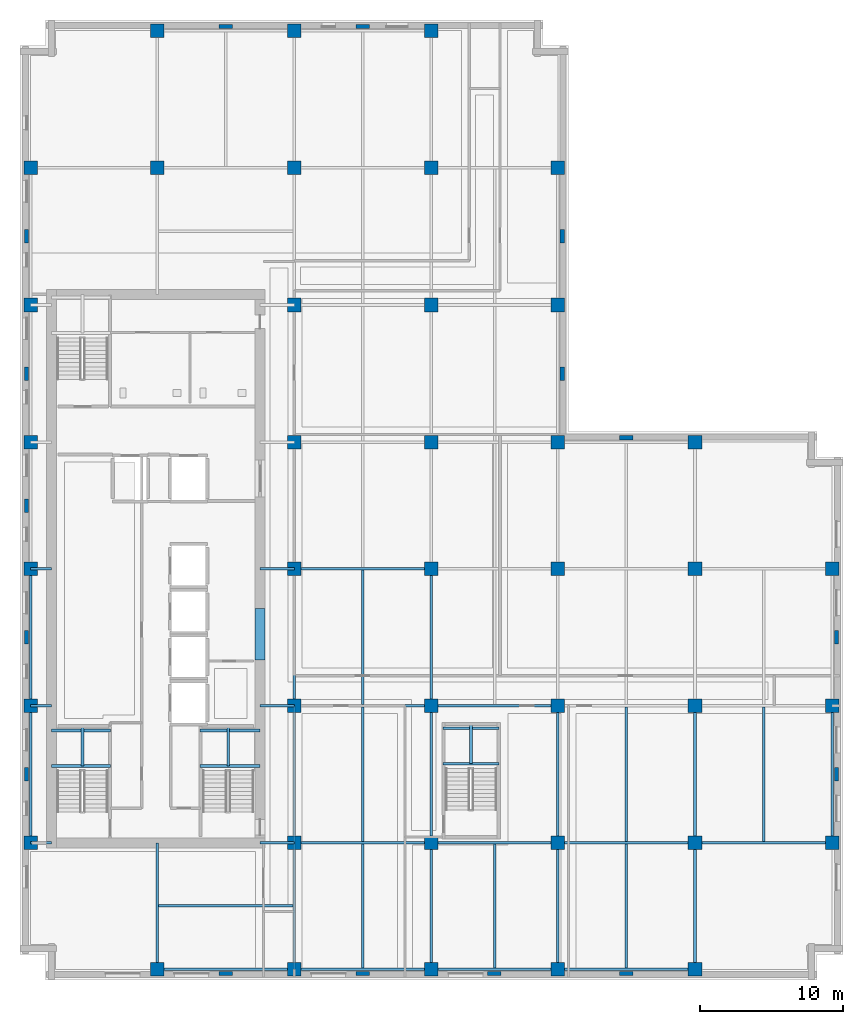
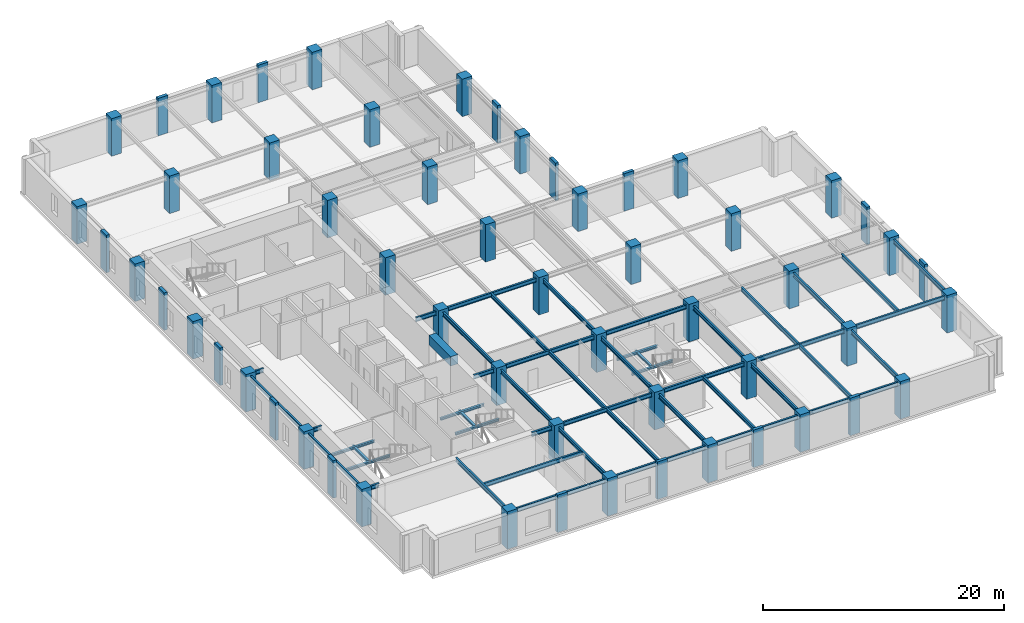
# One storey, part 1 of 13: 56 columns, 49 beams.
"""IFC4 building model written with IfcOpenShell, lengths in metres."""

from ifc_helpers import new_model, si_unit, direction, frame, origin, origin_2d, place, context, subcontext, project, spatial, rectangle, i_section, extrude, material, material_profile, profile_set, type_object, element, save


model = new_model("IFC4")

# Units and contexts
model_context = context("Model", 3, precision=1e-05, world=origin(), true_north=direction((0.0, 1.0)))
body_context = subcontext(model_context, "Body", "Model", "MODEL_VIEW")
ifc_project = project(units=[si_unit("LENGTHUNIT", "METRE"), si_unit("AREAUNIT", "SQUARE_METRE"), si_unit("VOLUMEUNIT", "CUBIC_METRE"), si_unit("PLANEANGLEUNIT", "RADIAN"), si_unit("MASSUNIT", "GRAM", prefix="KILO")], contexts=[model_context])

# Site, building, storey
site_placement = place(None, origin())
site = spatial("IfcSite", under=ifc_project, at=site_placement, CompositionType="ELEMENT")
building_placement = place(site_placement, origin())
building = spatial("IfcBuilding", under=site, at=building_placement, Name="Norrvale University Quadrangle", CompositionType="ELEMENT")
storey_placement = place(building_placement, frame((0.0, 0.0, 159.800048828125)))
storey = spatial("IfcBuildingStorey", under=building, at=storey_placement, Name="L40", CompositionType="ELEMENT", Elevation=159.800048828125)

# Columns
ifc_material_1 = material(Name="Red Manganese Brick Concrete C60/75", Category="concrete")
ifc_material_profile_1 = material_profile(ifc_material_1, rectangle(XDim=0.949951171875, YDim=0.300048828125, at=origin_2d()), Name="Red Manganese Brick Concrete C60/75")
ifc_profile_set_1 = profile_set([ifc_material_profile_1], Name="Red Manganese Brick Concrete C60/75")
column_type_1 = type_object("IfcColumnType", Name="Column Brick Pier 950x300", PredefinedType="PILASTER", material=ifc_profile_set_1)
for number, where, z_axis, x_axis, name in (
    (1, (0.449951171875, 14.39990234375, 0.0), (0.0, 0.0, 1.0), (0.0, 1.0, 0.0), "Exterior Brick Facade Pilaster L40-01"),
    (2, (0.449951171875, 24.0, 0.0), (0.0, 0.0, 1.0), (0.0, 1.0, 0.0), "Exterior Brick Facade Pilaster L40-02"),
    (3, (0.449951171875, 33.199951171875, 0.0), (0.0, 0.0, 1.0), (0.0, 1.0, 0.0), "Exterior Brick Facade Pilaster L40-03"),
    (4, (0.449951171875, 42.449951171875, 0.0), (0.0, 0.0, 1.0), (0.0, 1.0, 0.0), "Exterior Brick Facade Pilaster L40-04"),
    (5, (0.449951171875, 52.050048828125, 0.0), (0.0, 0.0, 1.0), (0.0, 1.0, 0.0), "Exterior Brick Facade Pilaster L40-05"),
    (6, (14.39990234375, 0.449951171875, 0.0), (0.0, 0.0, 1.0), (1.0, 0.0, 0.0), "Exterior Brick Facade Pilaster L40-06"),
    (7, (24.0, 0.449951171875, 0.0), (0.0, 0.0, 1.0), (1.0, 0.0, 0.0), "Exterior Brick Facade Pilaster L40-07"),
    (8, (33.199951171875, 0.449951171875, 0.0), (0.0, 0.0, 1.0), (1.0, 0.0, 0.0), "Exterior Brick Facade Pilaster L40-08"),
    (9, (42.449951171875, 0.449951171875, 0.0), (0.0, 0.0, 1.0), (1.0, 0.0, 0.0), "Exterior Brick Facade Pilaster L40-09"),
    (10, (57.14990234375, 14.39990234375, 0.0), (0.0, 0.0, 1.0), (0.0, 1.0, 0.0), "Exterior Brick Facade Pilaster L40-10"),
    (11, (57.14990234375, 24.0, 0.0), (0.0, 0.0, 1.0), (0.0, 1.0, 0.0), "Exterior Brick Facade Pilaster L40-11"),
    (12, (14.39990234375, 66.75, 0.0), (0.0, 0.0, 1.0), (1.0, 0.0, 0.0), "Exterior Brick Facade Pilaster L40-12"),
    (13, (24.0, 66.75, 0.0), (0.0, 0.0, 1.0), (1.0, 0.0, 0.0), "Exterior Brick Facade Pilaster L40-13"),
    (14, (37.949951171875, 42.449951171875, 0.0), (0.0, 0.0, 1.0), (0.0, 1.0, 0.0), "Exterior Brick Facade Pilaster L40-14"),
    (15, (37.949951171875, 52.050048828125, 0.0), (0.0, 0.0, 1.0), (0.0, 1.0, 0.0), "Exterior Brick Facade Pilaster L40-15"),
    (16, (42.449951171875, 37.949951171875, 0.0), (0.0, 0.0, 1.0), (1.0, 0.0, 0.0), "Exterior Brick Facade Pilaster L40-16"),
):
    element("IfcColumn", number, at=place(storey_placement, frame(where, z_axis=z_axis, x_axis=x_axis)), inside=storey, type_object=column_type_1, Name=name, PredefinedType="PILASTER", context=body_context, shape_type="SweptSolid", body=[
        extrude(rectangle(XDim=0.949951171875, YDim=0.300048828125, at=origin_2d()), origin(), (0.0, 0.0, 1.0), 3.800048828125),
    ])
ifc_material_2 = material(Name="Concrete C60/75", Category="concrete")
ifc_material_profile_2 = material_profile(ifc_material_2, rectangle(XDim=0.949951171875, YDim=0.949951171875, at=origin_2d()), Name="Concrete C60/75")
ifc_profile_set_2 = profile_set([ifc_material_profile_2], Name="Concrete C60/75")
column_type_2 = type_object("IfcColumnType", Name="Column Tower Z2 950x950", PredefinedType="COLUMN", material=ifc_profile_set_2)
for number, where, z_axis, x_axis, name in (
    (17, (0.75, 9.60009765625, 0.0), (0.0, 0.0, 1.0), (1.0, 0.0, 0.0), "Tower Column L40-T01"),
    (18, (0.75, 19.199951171875, 0.0), (0.0, 0.0, 1.0), (1.0, 0.0, 0.0), "Tower Column L40-T02"),
    (19, (0.75, 28.800048828125, 0.0), (0.0, 0.0, 1.0), (1.0, 0.0, 0.0), "Tower Column L40-T03"),
    (20, (0.75, 37.64990234375, 0.0), (0.0, 0.0, 1.0), (1.0, 0.0, 0.0), "Tower Column L40-T04"),
    (21, (0.75, 47.25, 0.0), (0.0, 0.0, 1.0), (1.0, 0.0, 0.0), "Tower Column L40-T05"),
    (22, (0.75, 56.85009765625, 0.0), (0.0, 0.0, 1.0), (1.0, 0.0, 0.0), "Tower Column L40-T06"),
    (23, (9.60009765625, 0.75, 0.0), (0.0, 0.0, 1.0), (1.0, 0.0, 0.0), "Tower Column L40-T07"),
    (24, (9.60009765625, 56.85009765625, 0.0), (0.0, 0.0, 1.0), (1.0, 0.0, 0.0), "Tower Column L40-T08"),
    (25, (9.60009765625, 66.449951171875, 0.0), (0.0, 0.0, 1.0), (1.0, 0.0, 0.0), "Tower Column L40-T09"),
    (26, (19.199951171875, 0.75, 0.0), (0.0, 0.0, 1.0), (1.0, 0.0, 0.0), "Tower Column L40-T10"),
    (27, (19.199951171875, 9.60009765625, 0.0), (0.0, 0.0, 1.0), (1.0, 0.0, 0.0), "Tower Column L40-T11"),
    (28, (19.199951171875, 19.199951171875, 0.0), (0.0, 0.0, 1.0), (1.0, 0.0, 0.0), "Tower Column L40-T12"),
    (29, (19.199951171875, 28.800048828125, 0.0), (0.0, 0.0, 1.0), (1.0, 0.0, 0.0), "Tower Column L40-T13"),
    (30, (19.199951171875, 37.64990234375, 0.0), (0.0, 0.0, 1.0), (1.0, 0.0, 0.0), "Tower Column L40-T14"),
    (31, (19.199951171875, 47.25, 0.0), (0.0, 0.0, 1.0), (1.0, 0.0, 0.0), "Tower Column L40-T15"),
    (32, (19.199951171875, 56.85009765625, 0.0), (0.0, 0.0, 1.0), (1.0, 0.0, 0.0), "Tower Column L40-T16"),
    (33, (19.199951171875, 66.449951171875, 0.0), (0.0, 0.0, 1.0), (1.0, 0.0, 0.0), "Tower Column L40-T17"),
    (34, (28.800048828125, 0.75, 0.0), (0.0, 0.0, 1.0), (1.0, 0.0, 0.0), "Tower Column L40-T18"),
    (35, (28.800048828125, 9.60009765625, 0.0), (0.0, 0.0, 1.0), (1.0, 0.0, 0.0), "Tower Column L40-T19"),
    (36, (28.800048828125, 19.199951171875, 0.0), (0.0, 0.0, 1.0), (1.0, 0.0, 0.0), "Tower Column L40-T20"),
    (37, (28.800048828125, 28.800048828125, 0.0), (0.0, 0.0, 1.0), (1.0, 0.0, 0.0), "Tower Column L40-T21"),
    (38, (28.800048828125, 37.64990234375, 0.0), (0.0, 0.0, 1.0), (1.0, 0.0, 0.0), "Tower Column L40-T22"),
    (39, (28.800048828125, 47.25, 0.0), (0.0, 0.0, 1.0), (1.0, 0.0, 0.0), "Tower Column L40-T23"),
    (40, (28.800048828125, 56.85009765625, 0.0), (0.0, 0.0, 1.0), (1.0, 0.0, 0.0), "Tower Column L40-T24"),
    (41, (28.800048828125, 66.449951171875, 0.0), (0.0, 0.0, 1.0), (1.0, 0.0, 0.0), "Tower Column L40-T25"),
    (42, (37.64990234375, 0.75, 0.0), (0.0, 0.0, 1.0), (1.0, 0.0, 0.0), "Tower Column L40-T26"),
    (43, (37.64990234375, 9.60009765625, 0.0), (0.0, 0.0, 1.0), (1.0, 0.0, 0.0), "Tower Column L40-T27"),
    (44, (37.64990234375, 19.199951171875, 0.0), (0.0, 0.0, 1.0), (1.0, 0.0, 0.0), "Tower Column L40-T28"),
    (45, (37.64990234375, 28.800048828125, 0.0), (0.0, 0.0, 1.0), (1.0, 0.0, 0.0), "Tower Column L40-T29"),
    (46, (37.64990234375, 37.64990234375, 0.0), (0.0, 0.0, 1.0), (1.0, 0.0, 0.0), "Tower Column L40-T30"),
    (47, (37.64990234375, 47.25, 0.0), (0.0, 0.0, 1.0), (1.0, 0.0, 0.0), "Tower Column L40-T31"),
    (48, (37.64990234375, 56.85009765625, 0.0), (0.0, 0.0, 1.0), (1.0, 0.0, 0.0), "Tower Column L40-T32"),
    (49, (47.25, 0.75, 0.0), (0.0, 0.0, 1.0), (1.0, 0.0, 0.0), "Tower Column L40-T33"),
    (50, (47.25, 9.60009765625, 0.0), (0.0, 0.0, 1.0), (1.0, 0.0, 0.0), "Tower Column L40-T34"),
    (51, (47.25, 19.199951171875, 0.0), (0.0, 0.0, 1.0), (1.0, 0.0, 0.0), "Tower Column L40-T35"),
    (52, (47.25, 28.800048828125, 0.0), (0.0, 0.0, 1.0), (1.0, 0.0, 0.0), "Tower Column L40-T36"),
    (53, (47.25, 37.64990234375, 0.0), (0.0, 0.0, 1.0), (1.0, 0.0, 0.0), "Tower Column L40-T37"),
    (54, (56.85009765625, 9.60009765625, 0.0), (0.0, 0.0, 1.0), (1.0, 0.0, 0.0), "Tower Column L40-T38"),
    (55, (56.85009765625, 19.199951171875, 0.0), (0.0, 0.0, 1.0), (1.0, 0.0, 0.0), "Tower Column L40-T39"),
    (56, (56.85009765625, 28.800048828125, 0.0), (0.0, 0.0, 1.0), (1.0, 0.0, 0.0), "Tower Column L40-T40"),
):
    element("IfcColumn", number, at=place(storey_placement, frame(where, z_axis=z_axis, x_axis=x_axis)), inside=storey, type_object=column_type_2, Name=name, PredefinedType="COLUMN", context=body_context, shape_type="SweptSolid", body=[
        extrude(rectangle(XDim=0.949951171875, YDim=0.949951171875, at=origin_2d()), origin(), (0.0, 0.0, 1.0), 3.800048828125),
    ])

# Beams
ifc_material_3 = material(Name="Steel 350W", Category="steel")
ifc_material_profile_3 = material_profile(ifc_material_3, i_section(OverallWidth=0.180908203125, OverallDepth=0.4169921875, WebThickness=0.010986328125, FlangeThickness=0.018310546875, FilletRadius=0.011962890625, at=origin_2d()), Name="Steel 350W")
ifc_profile_set_3 = profile_set([ifc_material_profile_3], Name="Steel 350W")
beam_type_1 = type_object("IfcBeamType", Name="Beam Atrium W410x85", PredefinedType="BEAM", material=ifc_profile_set_3)
beam_1_placement = place(storey_placement, frame((9.60009765625, 0.75, 3.33154296875), z_axis=(1.0, 0.0, 0.0), x_axis=(0.0, 1.0, 0.0)))
element("IfcBeam", 57, at=beam_1_placement, inside=storey, type_object=beam_type_1, Name="Beam Atrium W410x85 BM-L40-GX001", PredefinedType="BEAM", context=body_context, shape_type="SweptSolid", body=[
    extrude(i_section(OverallWidth=0.180908203125, OverallDepth=0.4169921875, WebThickness=0.010986328125, FlangeThickness=0.018310546875, FilletRadius=0.011962890625, at=origin_2d()), origin(), (0.0, 0.0, 1.0), 9.599853515625),
])
beam_2_placement = place(storey_placement, frame((19.199951171875, 0.75, 3.33154296875), z_axis=(1.0, 0.0, 0.0), x_axis=(0.0, 1.0, 0.0)))
element("IfcBeam", 58, at=beam_2_placement, inside=storey, type_object=beam_type_1, Name="Beam Atrium W410x85 BM-L40-GX002", PredefinedType="BEAM", context=body_context, shape_type="SweptSolid", body=[
    extrude(i_section(OverallWidth=0.180908203125, OverallDepth=0.4169921875, WebThickness=0.010986328125, FlangeThickness=0.018310546875, FilletRadius=0.011962890625, at=origin_2d()), origin(), (0.0, 0.0, 1.0), 9.60009765625),
])
beam_3_placement = place(storey_placement, frame((28.800048828125, 0.75, 3.33154296875), z_axis=(1.0, 0.0, 0.0), x_axis=(0.0, 1.0, 0.0)))
element("IfcBeam", 59, at=beam_3_placement, inside=storey, type_object=beam_type_1, Name="Beam Atrium W410x85 BM-L40-GX003", PredefinedType="BEAM", context=body_context, shape_type="SweptSolid", body=[
    extrude(i_section(OverallWidth=0.180908203125, OverallDepth=0.4169921875, WebThickness=0.010986328125, FlangeThickness=0.018310546875, FilletRadius=0.011962890625, at=origin_2d()), origin(), (0.0, 0.0, 1.0), 8.849853515625),
])
for number, where, z_axis, x_axis, name in (
    (60, (37.64990234375, 0.75, 3.33154296875), (1.0, 0.0, 0.0), (0.0, 1.0, 0.0), "Beam Atrium W410x85 BM-L40-GX004"),
    (61, (19.199951171875, 9.60009765625, 3.33154296875), (1.0, 0.0, 0.0), (0.0, 1.0, 0.0), "Beam Atrium W410x85 BM-L40-GX005"),
):
    element("IfcBeam", number, at=place(storey_placement, frame(where, z_axis=z_axis, x_axis=x_axis)), inside=storey, type_object=beam_type_1, Name=name, PredefinedType="BEAM", context=body_context, shape_type="SweptSolid", body=[
        extrude(i_section(OverallWidth=0.180908203125, OverallDepth=0.4169921875, WebThickness=0.010986328125, FlangeThickness=0.018310546875, FilletRadius=0.011962890625, at=origin_2d()), origin(), (0.0, 0.0, 1.0), 9.60009765625),
    ])
beam_4_placement = place(storey_placement, frame((28.800048828125, 9.60009765625, 3.33154296875), z_axis=(1.0, 0.0, 0.0), x_axis=(0.0, 1.0, 0.0)))
element("IfcBeam", 62, at=beam_4_placement, inside=storey, type_object=beam_type_1, Name="Beam Atrium W410x85 BM-L40-GX006", PredefinedType="BEAM", context=body_context, shape_type="SweptSolid", body=[
    extrude(i_section(OverallWidth=0.180908203125, OverallDepth=0.4169921875, WebThickness=0.010986328125, FlangeThickness=0.018310546875, FilletRadius=0.011962890625, at=origin_2d()), origin(), (0.0, 0.0, 1.0), 8.849853515625),
])
for number, where, z_axis, x_axis, name in (
    (63, (37.64990234375, 9.60009765625, 3.33154296875), (1.0, 0.0, 0.0), (0.0, 1.0, 0.0), "Beam Atrium W410x85 BM-L40-GX007"),
    (64, (47.25, 9.60009765625, 3.33154296875), (1.0, 0.0, 0.0), (0.0, 1.0, 0.0), "Beam Atrium W410x85 BM-L40-GX008"),
    (65, (19.199951171875, 19.199951171875, 3.33154296875), (1.0, 0.0, 0.0), (0.0, 1.0, 0.0), "Beam Atrium W410x85 BM-L40-GX009"),
):
    element("IfcBeam", number, at=place(storey_placement, frame(where, z_axis=z_axis, x_axis=x_axis)), inside=storey, type_object=beam_type_1, Name=name, PredefinedType="BEAM", context=body_context, shape_type="SweptSolid", body=[
        extrude(i_section(OverallWidth=0.180908203125, OverallDepth=0.4169921875, WebThickness=0.010986328125, FlangeThickness=0.018310546875, FilletRadius=0.011962890625, at=origin_2d()), origin(), (0.0, 0.0, 1.0), 9.60009765625),
    ])
beam_5_placement = place(storey_placement, frame((28.800048828125, 19.199951171875, 3.33154296875), z_axis=(1.0, 0.0, 0.0), x_axis=(0.0, 1.0, 0.0)))
element("IfcBeam", 66, at=beam_5_placement, inside=storey, type_object=beam_type_1, Name="Beam Atrium W410x85 BM-L40-GX010", PredefinedType="BEAM", context=body_context, shape_type="SweptSolid", body=[
    extrude(i_section(OverallWidth=0.180908203125, OverallDepth=0.4169921875, WebThickness=0.010986328125, FlangeThickness=0.018310546875, FilletRadius=0.011962890625, at=origin_2d()), origin(), (0.0, 0.0, 1.0), 8.849853515625),
])
beam_6_placement = place(storey_placement, frame((19.199951171875, 28.800048828125, 3.33154296875), z_axis=(1.0, 0.0, 0.0), x_axis=(0.0, 1.0, 0.0)))
element("IfcBeam", 67, at=beam_6_placement, inside=storey, type_object=beam_type_1, Name="Beam Atrium W410x85 BM-L40-GX013", PredefinedType="BEAM", context=body_context, shape_type="SweptSolid", body=[
    extrude(i_section(OverallWidth=0.180908203125, OverallDepth=0.4169921875, WebThickness=0.010986328125, FlangeThickness=0.018310546875, FilletRadius=0.011962890625, at=origin_2d()), origin(), (0.0, 0.0, 1.0), 9.60009765625),
])
beam_7_placement = place(storey_placement, frame((0.75, 9.60009765625, 3.33154296875), z_axis=(0.0, 1.0, 0.0), x_axis=(-1.0, 0.0, 0.0)))
element("IfcBeam", 68, at=beam_7_placement, inside=storey, type_object=beam_type_1, Name="Beam Atrium W410x85 BM-L40-GY028", PredefinedType="BEAM", context=body_context, shape_type="SweptSolid", body=[
    extrude(i_section(OverallWidth=0.180908203125, OverallDepth=0.4169921875, WebThickness=0.010986328125, FlangeThickness=0.018310546875, FilletRadius=0.011962890625, at=origin_2d()), origin(), (0.0, 0.0, 1.0), 9.599853515625),
])
beam_8_placement = place(storey_placement, frame((0.75, 19.199951171875, 3.33154296875), z_axis=(0.0, 1.0, 0.0), x_axis=(-1.0, 0.0, 0.0)))
element("IfcBeam", 69, at=beam_8_placement, inside=storey, type_object=beam_type_1, Name="Beam Atrium W410x85 BM-L40-GY029", PredefinedType="BEAM", context=body_context, shape_type="SweptSolid", body=[
    extrude(i_section(OverallWidth=0.180908203125, OverallDepth=0.4169921875, WebThickness=0.010986328125, FlangeThickness=0.018310546875, FilletRadius=0.011962890625, at=origin_2d()), origin(), (0.0, 0.0, 1.0), 9.60009765625),
])
beam_9_placement = place(storey_placement, frame((19.199951171875, 0.75, 3.33154296875), z_axis=(0.0, 1.0, 0.0), x_axis=(-1.0, 0.0, 0.0)))
element("IfcBeam", 70, at=beam_9_placement, inside=storey, type_object=beam_type_1, Name="Beam Atrium W410x85 BM-L40-GY034", PredefinedType="BEAM", context=body_context, shape_type="SweptSolid", body=[
    extrude(i_section(OverallWidth=0.180908203125, OverallDepth=0.4169921875, WebThickness=0.010986328125, FlangeThickness=0.018310546875, FilletRadius=0.011962890625, at=origin_2d()), origin(), (0.0, 0.0, 1.0), 8.85009765625),
])
beam_10_placement = place(storey_placement, frame((19.199951171875, 9.60009765625, 3.33154296875), z_axis=(0.0, 1.0, 0.0), x_axis=(-1.0, 0.0, 0.0)))
element("IfcBeam", 71, at=beam_10_placement, inside=storey, type_object=beam_type_1, Name="Beam Atrium W410x85 BM-L40-GY035", PredefinedType="BEAM", context=body_context, shape_type="SweptSolid", body=[
    extrude(i_section(OverallWidth=0.180908203125, OverallDepth=0.4169921875, WebThickness=0.010986328125, FlangeThickness=0.018310546875, FilletRadius=0.011962890625, at=origin_2d()), origin(), (0.0, 0.0, 1.0), 9.599853515625),
])
beam_11_placement = place(storey_placement, frame((19.199951171875, 19.199951171875, 3.33154296875), z_axis=(0.0, 1.0, 0.0), x_axis=(-1.0, 0.0, 0.0)))
element("IfcBeam", 72, at=beam_11_placement, inside=storey, type_object=beam_type_1, Name="Beam Atrium W410x85 BM-L40-GY036", PredefinedType="BEAM", context=body_context, shape_type="SweptSolid", body=[
    extrude(i_section(OverallWidth=0.180908203125, OverallDepth=0.4169921875, WebThickness=0.010986328125, FlangeThickness=0.018310546875, FilletRadius=0.011962890625, at=origin_2d()), origin(), (0.0, 0.0, 1.0), 9.60009765625),
])
beam_12_placement = place(storey_placement, frame((28.800048828125, 0.75, 3.33154296875), z_axis=(0.0, 1.0, 0.0), x_axis=(-1.0, 0.0, 0.0)))
element("IfcBeam", 73, at=beam_12_placement, inside=storey, type_object=beam_type_1, Name="Beam Atrium W410x85 BM-L40-GY041", PredefinedType="BEAM", context=body_context, shape_type="SweptSolid", body=[
    extrude(i_section(OverallWidth=0.180908203125, OverallDepth=0.4169921875, WebThickness=0.010986328125, FlangeThickness=0.018310546875, FilletRadius=0.011962890625, at=origin_2d()), origin(), (0.0, 0.0, 1.0), 8.85009765625),
])
beam_13_placement = place(storey_placement, frame((28.800048828125, 9.60009765625, 3.33154296875), z_axis=(0.0, 1.0, 0.0), x_axis=(-1.0, 0.0, 0.0)))
element("IfcBeam", 74, at=beam_13_placement, inside=storey, type_object=beam_type_1, Name="Beam Atrium W410x85 BM-L40-GY042", PredefinedType="BEAM", context=body_context, shape_type="SweptSolid", body=[
    extrude(i_section(OverallWidth=0.180908203125, OverallDepth=0.4169921875, WebThickness=0.010986328125, FlangeThickness=0.018310546875, FilletRadius=0.011962890625, at=origin_2d()), origin(), (0.0, 0.0, 1.0), 9.599853515625),
])
beam_14_placement = place(storey_placement, frame((28.800048828125, 19.199951171875, 3.33154296875), z_axis=(0.0, 1.0, 0.0), x_axis=(-1.0, 0.0, 0.0)))
element("IfcBeam", 75, at=beam_14_placement, inside=storey, type_object=beam_type_1, Name="Beam Atrium W410x85 BM-L40-GY043", PredefinedType="BEAM", context=body_context, shape_type="SweptSolid", body=[
    extrude(i_section(OverallWidth=0.180908203125, OverallDepth=0.4169921875, WebThickness=0.010986328125, FlangeThickness=0.018310546875, FilletRadius=0.011962890625, at=origin_2d()), origin(), (0.0, 0.0, 1.0), 9.60009765625),
])
beam_15_placement = place(storey_placement, frame((37.64990234375, 0.75, 3.33154296875), z_axis=(0.0, 1.0, 0.0), x_axis=(-1.0, 0.0, 0.0)))
element("IfcBeam", 76, at=beam_15_placement, inside=storey, type_object=beam_type_1, Name="Beam Atrium W410x85 BM-L40-GY048", PredefinedType="BEAM", context=body_context, shape_type="SweptSolid", body=[
    extrude(i_section(OverallWidth=0.180908203125, OverallDepth=0.4169921875, WebThickness=0.010986328125, FlangeThickness=0.018310546875, FilletRadius=0.011962890625, at=origin_2d()), origin(), (0.0, 0.0, 1.0), 8.85009765625),
])
beam_16_placement = place(storey_placement, frame((37.64990234375, 9.60009765625, 3.33154296875), z_axis=(0.0, 1.0, 0.0), x_axis=(-1.0, 0.0, 0.0)))
element("IfcBeam", 77, at=beam_16_placement, inside=storey, type_object=beam_type_1, Name="Beam Atrium W410x85 BM-L40-GY049", PredefinedType="BEAM", context=body_context, shape_type="SweptSolid", body=[
    extrude(i_section(OverallWidth=0.180908203125, OverallDepth=0.4169921875, WebThickness=0.010986328125, FlangeThickness=0.018310546875, FilletRadius=0.011962890625, at=origin_2d()), origin(), (0.0, 0.0, 1.0), 9.599853515625),
])
beam_17_placement = place(storey_placement, frame((47.25, 0.75, 3.33154296875), z_axis=(0.0, 1.0, 0.0), x_axis=(-1.0, 0.0, 0.0)))
element("IfcBeam", 78, at=beam_17_placement, inside=storey, type_object=beam_type_1, Name="Beam Atrium W410x85 BM-L40-GY054", PredefinedType="BEAM", context=body_context, shape_type="SweptSolid", body=[
    extrude(i_section(OverallWidth=0.180908203125, OverallDepth=0.4169921875, WebThickness=0.010986328125, FlangeThickness=0.018310546875, FilletRadius=0.011962890625, at=origin_2d()), origin(), (0.0, 0.0, 1.0), 8.85009765625),
])
for number, where, z_axis, x_axis, name in (
    (79, (47.25, 9.60009765625, 3.33154296875), (0.0, 1.0, 0.0), (-1.0, 0.0, 0.0), "Beam Atrium W410x85 BM-L40-GY055"),
    (80, (56.85009765625, 9.60009765625, 3.33154296875), (0.0, 1.0, 0.0), (-1.0, 0.0, 0.0), "Beam Atrium W410x85 BM-L40-GY058"),
):
    element("IfcBeam", number, at=place(storey_placement, frame(where, z_axis=z_axis, x_axis=x_axis)), inside=storey, type_object=beam_type_1, Name=name, PredefinedType="BEAM", context=body_context, shape_type="SweptSolid", body=[
        extrude(i_section(OverallWidth=0.180908203125, OverallDepth=0.4169921875, WebThickness=0.010986328125, FlangeThickness=0.018310546875, FilletRadius=0.011962890625, at=origin_2d()), origin(), (0.0, 0.0, 1.0), 9.599853515625),
    ])
beam_18_placement = place(storey_placement, frame((0.75, 9.60009765625, 3.33154296875), z_axis=(1.0, 0.0, 0.0), x_axis=(0.0, 1.0, 0.0)))
element("IfcBeam", 81, at=beam_18_placement, inside=storey, type_object=beam_type_1, Name="Beam Atrium W410x85 BM-L40-GCW060", PredefinedType="BEAM", context=body_context, shape_type="SweptSolid", body=[
    extrude(i_section(OverallWidth=0.180908203125, OverallDepth=0.4169921875, WebThickness=0.010986328125, FlangeThickness=0.018310546875, FilletRadius=0.011962890625, at=origin_2d()), origin(), (0.0, 0.0, 1.0), 1.449951171875),
])
beam_19_placement = place(storey_placement, frame((16.800048828125, 9.60009765625, 3.33154296875), z_axis=(1.0, 0.0, 0.0), x_axis=(0.0, 1.0, 0.0)))
element("IfcBeam", 82, at=beam_19_placement, inside=storey, type_object=beam_type_1, Name="Beam Atrium W410x85 BM-L40-GCE061", PredefinedType="BEAM", context=body_context, shape_type="SweptSolid", body=[
    extrude(i_section(OverallWidth=0.180908203125, OverallDepth=0.4169921875, WebThickness=0.010986328125, FlangeThickness=0.018310546875, FilletRadius=0.011962890625, at=origin_2d()), origin(), (0.0, 0.0, 1.0), 2.39990234375),
])
beam_20_placement = place(storey_placement, frame((0.75, 19.199951171875, 3.33154296875), z_axis=(1.0, 0.0, 0.0), x_axis=(0.0, 1.0, 0.0)))
element("IfcBeam", 83, at=beam_20_placement, inside=storey, type_object=beam_type_1, Name="Beam Atrium W410x85 BM-L40-GCW062", PredefinedType="BEAM", context=body_context, shape_type="SweptSolid", body=[
    extrude(i_section(OverallWidth=0.180908203125, OverallDepth=0.4169921875, WebThickness=0.010986328125, FlangeThickness=0.018310546875, FilletRadius=0.011962890625, at=origin_2d()), origin(), (0.0, 0.0, 1.0), 1.449951171875),
])
beam_21_placement = place(storey_placement, frame((16.800048828125, 19.199951171875, 3.33154296875), z_axis=(1.0, 0.0, 0.0), x_axis=(0.0, 1.0, 0.0)))
element("IfcBeam", 84, at=beam_21_placement, inside=storey, type_object=beam_type_1, Name="Beam Atrium W410x85 BM-L40-GCE063", PredefinedType="BEAM", context=body_context, shape_type="SweptSolid", body=[
    extrude(i_section(OverallWidth=0.180908203125, OverallDepth=0.4169921875, WebThickness=0.010986328125, FlangeThickness=0.018310546875, FilletRadius=0.011962890625, at=origin_2d()), origin(), (0.0, 0.0, 1.0), 2.39990234375),
])
beam_22_placement = place(storey_placement, frame((0.75, 28.800048828125, 3.33154296875), z_axis=(1.0, 0.0, 0.0), x_axis=(0.0, 1.0, 0.0)))
element("IfcBeam", 85, at=beam_22_placement, inside=storey, type_object=beam_type_1, Name="Beam Atrium W410x85 BM-L40-GCW064", PredefinedType="BEAM", context=body_context, shape_type="SweptSolid", body=[
    extrude(i_section(OverallWidth=0.180908203125, OverallDepth=0.4169921875, WebThickness=0.010986328125, FlangeThickness=0.018310546875, FilletRadius=0.011962890625, at=origin_2d()), origin(), (0.0, 0.0, 1.0), 1.449951171875),
])
beam_23_placement = place(storey_placement, frame((16.800048828125, 28.800048828125, 3.33154296875), z_axis=(1.0, 0.0, 0.0), x_axis=(0.0, 1.0, 0.0)))
element("IfcBeam", 86, at=beam_23_placement, inside=storey, type_object=beam_type_1, Name="Beam Atrium W410x85 BM-L40-GCE065", PredefinedType="BEAM", context=body_context, shape_type="SweptSolid", body=[
    extrude(i_section(OverallWidth=0.180908203125, OverallDepth=0.4169921875, WebThickness=0.010986328125, FlangeThickness=0.018310546875, FilletRadius=0.011962890625, at=origin_2d()), origin(), (0.0, 0.0, 1.0), 2.39990234375),
])
beam_24_placement = place(storey_placement, frame((9.60009765625, 0.75, 3.33154296875), z_axis=(0.0, 1.0, 0.0), x_axis=(-1.0, 0.0, 0.0)))
element("IfcBeam", 87, at=beam_24_placement, inside=storey, type_object=beam_type_1, Name="Beam Atrium W410x85 BM-L40-GCS089", PredefinedType="BEAM", context=body_context, shape_type="SweptSolid", body=[
    extrude(i_section(OverallWidth=0.180908203125, OverallDepth=0.4169921875, WebThickness=0.010986328125, FlangeThickness=0.018310546875, FilletRadius=0.011962890625, at=origin_2d()), origin(), (0.0, 0.0, 1.0), 8.85009765625),
])
ifc_material_4 = material(Name="Concrete C80/95", Category="concrete")
ifc_material_profile_4 = material_profile(ifc_material_4, rectangle(XDim=0.699951171875, YDim=0.949951171875, at=origin_2d()), Name="Concrete C80/95")
ifc_profile_set_4 = profile_set([ifc_material_profile_4], Name="Concrete C80/95")
beam_type_2 = type_object("IfcBeamType", Name="Beam Core Link 700x950", PredefinedType="LINTEL", material=ifc_profile_set_4)
beam_25_placement = place(storey_placement, frame((16.800048828125, 22.39990234375, 3.06494140625), z_axis=(0.0, 1.0, 0.0), x_axis=(-1.0, 0.0, 0.0)))
element("IfcBeam", 88, at=beam_25_placement, inside=storey, type_object=beam_type_2, Name="Core Coupling Lintel Beam L40-1", PredefinedType="LINTEL", context=body_context, shape_type="SweptSolid", body=[
    extrude(rectangle(XDim=0.699951171875, YDim=0.949951171875, at=origin_2d()), origin(), (0.0, 0.0, 1.0), 3.60009765625),
])
ifc_material_profile_5 = material_profile(ifc_material_3, i_section(OverallWidth=0.177978515625, OverallDepth=0.406982421875, WebThickness=0.0078125, FlangeThickness=0.0126953125, FilletRadius=0.011962890625, at=origin_2d()), Name="Steel 350W")
ifc_profile_set_5 = profile_set([ifc_material_profile_5], Name="Steel 350W")
beam_type_3 = type_object("IfcBeamType", Name="Beam Roof Purlin W410x60", PredefinedType="USERDEFINED", material=ifc_profile_set_5)
beam_26_placement = place(storey_placement, frame((24.0, 0.840576171875, 3.33642578125), z_axis=(0.0, 1.0, 0.0), x_axis=(-1.0, 0.0, 0.0)))
element("IfcBeam", 89, at=beam_26_placement, inside=storey, type_object=beam_type_3, Name="Beam Roof Purlin W410x60 BM-L40-J071", ObjectType="PURLIN", PredefinedType="USERDEFINED", context=body_context, shape_type="SweptSolid", body=[
    extrude(i_section(OverallWidth=0.177978515625, OverallDepth=0.406982421875, WebThickness=0.0078125, FlangeThickness=0.0126953125, FilletRadius=0.011962890625, at=origin_2d()), origin(), (0.0, 0.0, 1.0), 8.6689453125),
])
beam_27_placement = place(storey_placement, frame((24.0, 9.6904296875, 3.33642578125), z_axis=(0.0, 1.0, 0.0), x_axis=(-1.0, 0.0, 0.0)))
element("IfcBeam", 90, at=beam_27_placement, inside=storey, type_object=beam_type_3, Name="Beam Roof Purlin W410x60 BM-L40-J072", ObjectType="PURLIN", PredefinedType="USERDEFINED", context=body_context, shape_type="SweptSolid", body=[
    extrude(i_section(OverallWidth=0.177978515625, OverallDepth=0.406982421875, WebThickness=0.0078125, FlangeThickness=0.0126953125, FilletRadius=0.011962890625, at=origin_2d()), origin(), (0.0, 0.0, 1.0), 9.419189453125),
])
beam_28_placement = place(storey_placement, frame((24.0, 19.29052734375, 3.33642578125), z_axis=(0.0, 1.0, 0.0), x_axis=(-1.0, 0.0, 0.0)))
element("IfcBeam", 91, at=beam_28_placement, inside=storey, type_object=beam_type_3, Name="Beam Roof Purlin W410x60 BM-L40-J073", ObjectType="PURLIN", PredefinedType="USERDEFINED", context=body_context, shape_type="SweptSolid", body=[
    extrude(i_section(OverallWidth=0.177978515625, OverallDepth=0.406982421875, WebThickness=0.0078125, FlangeThickness=0.0126953125, FilletRadius=0.011962890625, at=origin_2d()), origin(), (0.0, 0.0, 1.0), 9.4189453125),
])
for number, where, z_axis, x_axis, name in (
    (92, (33.22509765625, 0.840576171875, 3.33642578125), (0.0, 1.0, 0.0), (-1.0, 0.0, 0.0), "Beam Roof Purlin W410x60 BM-L40-J078"),
    (93, (42.449951171875, 0.840576171875, 3.33642578125), (0.0, 1.0, 0.0), (-1.0, 0.0, 0.0), "Beam Roof Purlin W410x60 BM-L40-J083"),
):
    element("IfcBeam", number, at=place(storey_placement, frame(where, z_axis=z_axis, x_axis=x_axis)), inside=storey, type_object=beam_type_3, Name=name, ObjectType="PURLIN", PredefinedType="USERDEFINED", context=body_context, shape_type="SweptSolid", body=[
        extrude(i_section(OverallWidth=0.177978515625, OverallDepth=0.406982421875, WebThickness=0.0078125, FlangeThickness=0.0126953125, FilletRadius=0.011962890625, at=origin_2d()), origin(), (0.0, 0.0, 1.0), 8.6689453125),
    ])
for number, where, z_axis, x_axis, name in (
    (94, (42.449951171875, 9.6904296875, 3.33642578125), (0.0, 1.0, 0.0), (-1.0, 0.0, 0.0), "Beam Roof Purlin W410x60 BM-L40-J084"),
    (95, (52.050048828125, 9.6904296875, 3.33642578125), (0.0, 1.0, 0.0), (-1.0, 0.0, 0.0), "Beam Roof Purlin W410x60 BM-L40-J087"),
    (96, (9.6904296875, 5.199951171875, 3.33642578125), (1.0, 0.0, 0.0), (0.0, 1.0, 0.0), "Beam Roof Purlin W410x60 BM-L40-JCS090"),
):
    element("IfcBeam", number, at=place(storey_placement, frame(where, z_axis=z_axis, x_axis=x_axis)), inside=storey, type_object=beam_type_3, Name=name, ObjectType="PURLIN", PredefinedType="USERDEFINED", context=body_context, shape_type="SweptSolid", body=[
        extrude(i_section(OverallWidth=0.177978515625, OverallDepth=0.406982421875, WebThickness=0.0078125, FlangeThickness=0.0126953125, FilletRadius=0.011962890625, at=origin_2d()), origin(), (0.0, 0.0, 1.0), 9.419189453125),
    ])
ifc_material_profile_6 = material_profile(ifc_material_3, i_section(OverallWidth=0.201904296875, OverallDepth=0.2470703125, WebThickness=0.00732421875, FlangeThickness=0.010986328125, FilletRadius=0.011962890625, at=origin_2d()), Name="Steel 350W")
ifc_profile_set_6 = profile_set([ifc_material_profile_6], Name="Steel 350W")
beam_type_4 = type_object("IfcBeamType", Name="Beam Stair W250x49", PredefinedType="BEAM", material=ifc_profile_set_6)
for number, where, z_axis, x_axis, name in (
    (97, (2.199951171875, 14.989990234375, 1.576416015625), (1.0, 0.0, 0.0), (0.0, 1.0, 0.0), "Stair Mid-Landing Front Beam ST-01 L40"),
    (98, (2.199951171875, 17.469970703125, 1.576416015625), (1.0, 0.0, 0.0), (0.0, 1.0, 0.0), "Stair Mid-Landing Rear Beam ST-01 L40"),
):
    element("IfcBeam", number, at=place(storey_placement, frame(where, z_axis=z_axis, x_axis=x_axis)), inside=storey, type_object=beam_type_4, Name=name, PredefinedType="BEAM", context=body_context, shape_type="SweptSolid", body=[
        extrude(i_section(OverallWidth=0.201904296875, OverallDepth=0.2470703125, WebThickness=0.00732421875, FlangeThickness=0.010986328125, FilletRadius=0.011962890625, at=origin_2d()), origin(), (0.0, 0.0, 1.0), 4.14013671875),
    ])
for number, where, z_axis, x_axis, name in (
    (99, (12.610107421875, 14.989990234375, 1.576416015625), (1.0, 0.0, 0.0), (0.0, 1.0, 0.0), "Stair Mid-Landing Front Beam ST-03 L40"),
    (100, (12.610107421875, 17.469970703125, 1.576416015625), (1.0, 0.0, 0.0), (0.0, 1.0, 0.0), "Stair Mid-Landing Rear Beam ST-03 L40"),
):
    element("IfcBeam", number, at=place(storey_placement, frame(where, z_axis=z_axis, x_axis=x_axis)), inside=storey, type_object=beam_type_4, Name=name, PredefinedType="BEAM", context=body_context, shape_type="SweptSolid", body=[
        extrude(i_section(OverallWidth=0.201904296875, OverallDepth=0.2470703125, WebThickness=0.00732421875, FlangeThickness=0.010986328125, FilletRadius=0.011962890625, at=origin_2d()), origin(), (0.0, 0.0, 1.0), 4.18994140625),
    ])
for number, where, z_axis, x_axis, name in (
    (101, (29.610107421875, 15.139892578125, 1.576416015625), (1.0, 0.0, 0.0), (0.0, 1.0, 0.0), "Stair Mid-Landing Front Beam ST-04 L40"),
    (102, (29.610107421875, 17.6201171875, 1.576416015625), (1.0, 0.0, 0.0), (0.0, 1.0, 0.0), "Stair Mid-Landing Rear Beam ST-04 L40"),
):
    element("IfcBeam", number, at=place(storey_placement, frame(where, z_axis=z_axis, x_axis=x_axis)), inside=storey, type_object=beam_type_4, Name=name, PredefinedType="BEAM", context=body_context, shape_type="SweptSolid", body=[
        extrude(i_section(OverallWidth=0.201904296875, OverallDepth=0.2470703125, WebThickness=0.00732421875, FlangeThickness=0.010986328125, FilletRadius=0.011962890625, at=origin_2d()), origin(), (0.0, 0.0, 1.0), 3.929931640625),
    ])
ifc_material_profile_7 = material_profile(ifc_material_3, i_section(OverallWidth=0.202880859375, OverallDepth=0.202880859375, WebThickness=0.007080078125, FlangeThickness=0.010986328125, FilletRadius=0.010009765625, at=origin_2d()), Name="Steel 350W")
ifc_profile_set_7 = profile_set([ifc_material_profile_7], Name="Steel 350W")
beam_type_5 = type_object("IfcBeamType", Name="Beam Trim W200x46", PredefinedType="BEAM", material=ifc_profile_set_7)
for number, where, z_axis, x_axis, name in (
    (103, (4.375, 14.989990234375, 1.598388671875), (0.0, 1.0, 0.0), (-1.0, 0.0, 0.0), "Stair Mid-Landing Cross Beam ST-01 L40"),
    (104, (14.574951171875, 14.989990234375, 1.598388671875), (0.0, 1.0, 0.0), (-1.0, 0.0, 0.0), "Stair Mid-Landing Cross Beam ST-03 L40"),
    (105, (31.574951171875, 15.139892578125, 1.598388671875), (0.0, 1.0, 0.0), (-1.0, 0.0, 0.0), "Stair Mid-Landing Cross Beam ST-04 L40"),
):
    element("IfcBeam", number, at=place(storey_placement, frame(where, z_axis=z_axis, x_axis=x_axis)), inside=storey, type_object=beam_type_5, Name=name, PredefinedType="BEAM", context=body_context, shape_type="SweptSolid", body=[
        extrude(i_section(OverallWidth=0.202880859375, OverallDepth=0.202880859375, WebThickness=0.007080078125, FlangeThickness=0.010986328125, FilletRadius=0.010009765625, at=origin_2d()), origin(), (0.0, 0.0, 1.0), 2.800048828125),
    ])

save(model, "model.ifc")
